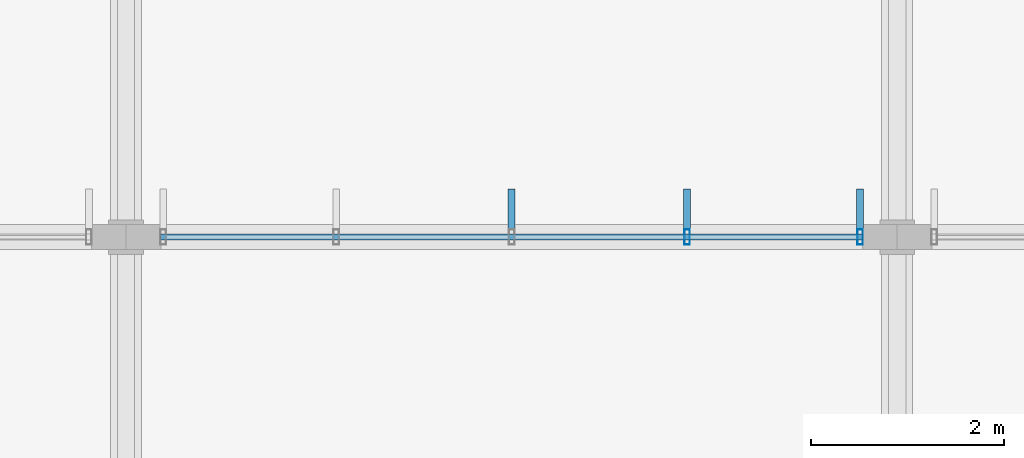
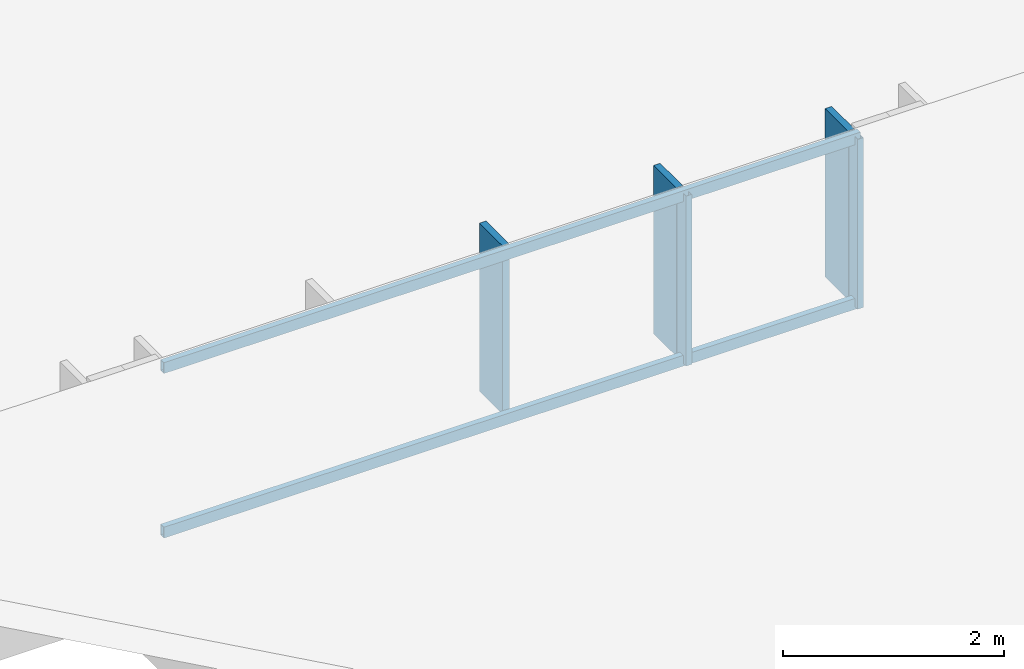
# One storey, part 27 of 94: 7 members, 1 element without a shape of its own.
"""IFC4 building model written with IfcOpenShell, lengths in metres."""

from ifc_helpers import new_model, si_unit, direction, frame, origin, origin_2d, place, context, subcontext, project, spatial, rectangle, hollow_rectangle, extrude, material, material_profile, profile_set, type_object, element, aggregate, save


model = new_model("IFC4")

# Units and contexts
model_context = context("Model", 3, precision=1e-05, world=origin(), true_north=direction((0.0, 1.0)))
body_context = subcontext(model_context, "Body", "Model", "MODEL_VIEW")
ifc_project = project(units=[si_unit("LENGTHUNIT", "METRE"), si_unit("AREAUNIT", "SQUARE_METRE"), si_unit("VOLUMEUNIT", "CUBIC_METRE"), si_unit("PLANEANGLEUNIT", "RADIAN"), si_unit("MASSUNIT", "GRAM", prefix="KILO")], contexts=[model_context])

# Site, building, storey
site_placement = place(None, origin())
site = spatial("IfcSite", under=ifc_project, at=site_placement, CompositionType="ELEMENT")
building_placement = place(site_placement, origin())
building = spatial("IfcBuilding", under=site, at=building_placement, Name="Chiffa Square Polytechnic", CompositionType="ELEMENT")
storey_placement = place(building_placement, frame((0.0, 0.0, 18.0)))
storey = spatial("IfcBuildingStorey", under=building, at=storey_placement, Name="L04", CompositionType="ELEMENT", Elevation=18.0)

# Curtain wall, members
ifc_material_1 = material(Name="Aluminium EN AW-6060 T66 and glulam shading", Category="wood")
curtain_wall_type = type_object("IfcCurtainWallType", Name="CW-VERT-540X440", PredefinedType="USERDEFINED", material=ifc_material_1)
curtain_wall_placement = place(storey_placement, origin())
curtain_wall = element("IfcCurtainWall", 1, at=curtain_wall_placement, inside=storey, type_object=curtain_wall_type, Name="Curtain wall CW-V6-SAW5-2", ObjectType="CURTAIN WALL", PredefinedType="USERDEFINED")
ifc_material_2 = material(Name="Aluminium EN AW-6060 T66", Category="aluminium")
ifc_material_profile_1 = material_profile(ifc_material_2, hollow_rectangle(XDim=0.06005859375, YDim=0.159912109375, WallThickness=0.00390625, at=origin_2d()), Name="ALU 60x160x4")
ifc_profile_set_1 = profile_set([ifc_material_profile_1], Name="Aluminium EN AW-6060 T66")
member_type_1 = type_object("IfcMemberType", Name="CWM-ALU-65X150", PredefinedType="MULLION", material=ifc_profile_set_1)
member_1_placement = place(storey_placement, frame((15.614990234375, 72.60009765625, 0.699951171875), z_axis=(0.0, 0.0, 1.0), x_axis=(1.0, 0.0, 0.0)))
member_1 = element("IfcMember", 2, at=member_1_placement, type_object=member_type_1, Name="Curtain wall mullion CW-V6-SAW5-2-M00", PredefinedType="MULLION", context=body_context, shape_type="SweptSolid", body=[
    extrude(hollow_rectangle(XDim=0.06005859375, YDim=0.159912109375, WallThickness=0.00390625, at=origin_2d()), origin(), (0.0, 0.0, 1.0), 1.879150390625),
])
member_2_placement = place(storey_placement, frame((13.820068359375, 72.60009765625, 0.699951171875), z_axis=(0.0, 0.0, 1.0), x_axis=(1.0, 0.0, 0.0)))
member_2 = element("IfcMember", 3, at=member_2_placement, type_object=member_type_1, Name="Curtain wall mullion CW-V6-SAW5-2-M01", PredefinedType="MULLION", context=body_context, shape_type="SweptSolid", body=[
    extrude(hollow_rectangle(XDim=0.06005859375, YDim=0.159912109375, WallThickness=0.00390625, at=origin_2d()), origin(), (0.0, 0.0, 1.0), 1.879150390625),
])
ifc_material_3 = material(Name="Glulam GL28h", Category="wood")
ifc_material_profile_2 = material_profile(ifc_material_3, rectangle(XDim=0.070068359375, YDim=0.419921875, at=origin_2d()), Name="GL28h 70x420")
ifc_profile_set_2 = profile_set([ifc_material_profile_2], Name="Glulam GL28h")
member_type_2 = type_object("IfcMemberType", Name="CWM-GL-70X420", PredefinedType="MULLION", material=ifc_profile_set_2)
member_3_placement = place(storey_placement, frame((15.614990234375, 72.89208984375, 0.7099609375), z_axis=(0.0, 0.0, 1.0), x_axis=(-1.0, 0.0, 0.0)))
member_3 = element("IfcMember", 4, at=member_3_placement, type_object=member_type_2, Name="Exterior glulam solar fin CW-V6-SAW5-2-FN00", PredefinedType="MULLION", context=body_context, shape_type="SweptSolid", body=[
    extrude(rectangle(XDim=0.070068359375, YDim=0.419921875, at=origin_2d()), origin(), (0.0, 0.0, 1.0), 1.859130859375),
])
member_4_placement = place(storey_placement, frame((13.820068359375, 72.89208984375, 0.7099609375), z_axis=(0.0, 0.0, 1.0), x_axis=(-1.0, 0.0, 0.0)))
member_4 = element("IfcMember", 5, at=member_4_placement, type_object=member_type_2, Name="Exterior glulam solar fin CW-V6-SAW5-2-FN01", PredefinedType="MULLION", context=body_context, shape_type="SweptSolid", body=[
    extrude(rectangle(XDim=0.070068359375, YDim=0.419921875, at=origin_2d()), origin(), (0.0, 0.0, 1.0), 1.859130859375),
])
member_5_placement = place(storey_placement, frame((12.0, 72.89208984375, 0.7099609375), z_axis=(0.0, 0.0, 1.0), x_axis=(-1.0, 0.0, 0.0)))
member_5 = element("IfcMember", 6, at=member_5_placement, type_object=member_type_2, Name="Exterior glulam solar fin CW-V6-SAW5-2-FN02", PredefinedType="MULLION", context=body_context, shape_type="SweptSolid", body=[
    extrude(rectangle(XDim=0.070068359375, YDim=0.419921875, at=origin_2d()), origin(), (0.0, 0.0, 1.0), 1.859130859375),
])
ifc_material_profile_3 = material_profile(ifc_material_2, hollow_rectangle(XDim=0.06005859375, YDim=0.1201171875, WallThickness=0.00390625, at=origin_2d()), Name="ALU 60x120x4")
ifc_profile_set_3 = profile_set([ifc_material_profile_3], Name="Aluminium EN AW-6060 T66")
member_type_3 = type_object("IfcMemberType", Name="CWT-ALU-65X120", PredefinedType="USERDEFINED", material=ifc_profile_set_3)
member_6_placement = place(storey_placement, frame((15.64208984375, 72.60009765625, 0.72998046875), z_axis=(-1.0, 0.0, 0.0), x_axis=(0.0, -1.0, 0.0)))
member_6 = element("IfcMember", 7, at=member_6_placement, type_object=member_type_3, Name="Curtain wall transom CW-V6-SAW5-2-T01", ObjectType="TRANSOM", PredefinedType="USERDEFINED", context=body_context, shape_type="SweptSolid", body=[
    extrude(hollow_rectangle(XDim=0.06005859375, YDim=0.1201171875, WallThickness=0.00390625, at=origin_2d()), origin(), (0.0, 0.0, 1.0), 7.2841796875),
])
member_7_placement = place(storey_placement, frame((15.64208984375, 72.60009765625, 2.549072265625), z_axis=(-1.0, 0.0, 0.0), x_axis=(0.0, -1.0, 0.0)))
member_7 = element("IfcMember", 8, at=member_7_placement, type_object=member_type_3, Name="Curtain wall transom CW-V6-SAW5-2-T02", ObjectType="TRANSOM", PredefinedType="USERDEFINED", context=body_context, shape_type="SweptSolid", body=[
    extrude(hollow_rectangle(XDim=0.06005859375, YDim=0.1201171875, WallThickness=0.00390625, at=origin_2d()), origin(), (0.0, 0.0, 1.0), 7.2841796875),
])
aggregate(curtain_wall, [member_1, member_3, member_2, member_4, member_5, member_6, member_7])

save(model, "model.ifc")
